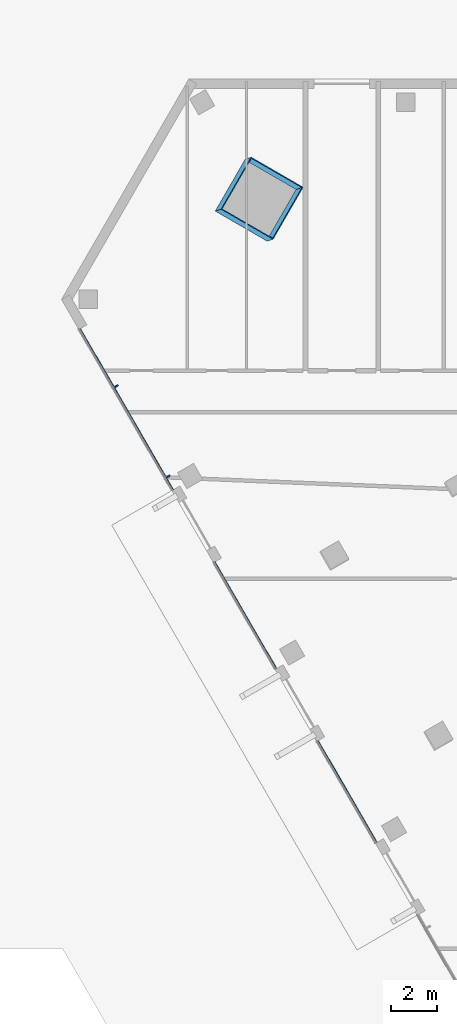
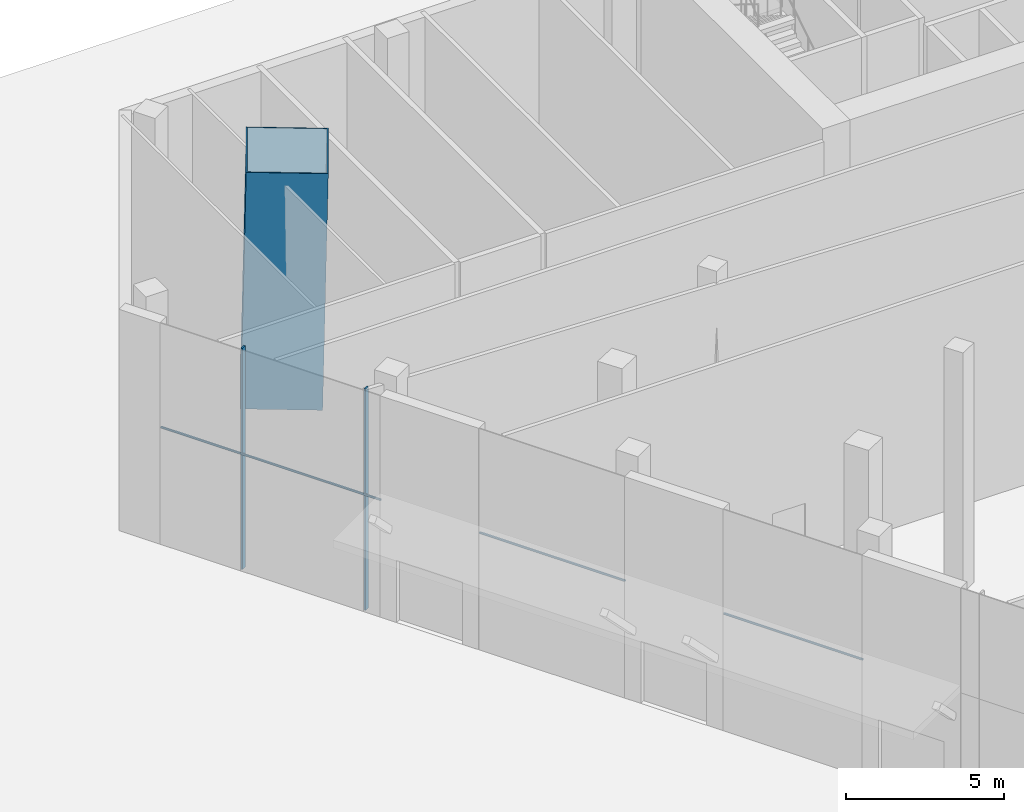
# One storey, part 4 of 21: 6 members, 3 elements without a shape of their own.
"""IFC4 building model written with IfcOpenShell, lengths in metres."""

from ifc_helpers import new_model, si_unit, direction, frame, origin, origin_2d, place, context, subcontext, project, spatial, rectangle, hollow_rectangle, extrude, material, layer, layer_set, material_profile, profile_set, type_object, element, aggregate, save


model = new_model("IFC4")

# Units and contexts
model_context = context("Model", 3, precision=1e-05, world=origin(), true_north=direction((0.0, 1.0)))
body_context = subcontext(model_context, "Body", "Model", "MODEL_VIEW")
ifc_project = project(units=[si_unit("LENGTHUNIT", "METRE"), si_unit("AREAUNIT", "SQUARE_METRE"), si_unit("VOLUMEUNIT", "CUBIC_METRE"), si_unit("PLANEANGLEUNIT", "RADIAN"), si_unit("MASSUNIT", "GRAM", prefix="KILO")], contexts=[model_context])

# Site, building, storey
site_placement = place(None, origin())
site = spatial("IfcSite", under=ifc_project, at=site_placement, CompositionType="ELEMENT")
building_placement = place(site_placement, origin())
building = spatial("IfcBuilding", under=site, at=building_placement, Name="Altiplano Prism Tower", CompositionType="ELEMENT")
storey_placement = place(building_placement, origin())
storey = spatial("IfcBuildingStorey", under=building, at=storey_placement, Name="L00", CompositionType="ELEMENT", Elevation=0.0)

# Curtain wall, members
ifc_material_1 = material(Name="Aluminium and glass", Category="aluminium")
ifc_layer = layer(ifc_material_1, 0.261962890625)
ifc_layer_set = layer_set([ifc_layer], Name="Aluminium and glass")
curtain_wall_type = type_object("IfcCurtainWallType", Name="CW4 concourse and street shopfront", PredefinedType="NOTDEFINED", material=ifc_layer_set)
curtain_wall_1_placement = place(storey_placement, origin())
curtain_wall_1 = element("IfcCurtainWall", 1, at=curtain_wall_1_placement, inside=storey, type_object=curtain_wall_type, Name="CW4 shopfront south-west face L00", PredefinedType="NOTDEFINED")
ifc_material_2 = material(Name="Aluminium", Category="aluminium")
ifc_material_profile_1 = material_profile(ifc_material_2, rectangle(XDim=0.179931640625, YDim=0.06005859375, at=origin_2d()), Name="CW4 mullion 60 x 180")
ifc_profile_set_1 = profile_set([ifc_material_profile_1], Name="Aluminium")
member_type_1 = type_object("IfcMemberType", Name="CW4 mullion 60 x 180", PredefinedType="MULLION", material=ifc_profile_set_1)
member_1_placement = place(storey_placement, frame((50.431396484375, 91.71875, 0.0), z_axis=(0.0, 0.0, 1.0), x_axis=(0.866025405818, 0.499999996478, 0.0)))
member_1 = element("IfcMember", 2, at=member_1_placement, type_object=member_type_1, Name="CW4 mullion", PredefinedType="MULLION", context=body_context, shape_type="SweptSolid", body=[
    extrude(rectangle(XDim=0.179931640625, YDim=0.06005859375, at=origin_2d()), origin(), (0.0, 0.0, 1.0), 8.550048828125),
])
member_2_placement = place(storey_placement, frame((52.681396484375, 87.821533203125, 0.0), z_axis=(0.0, 0.0, 1.0), x_axis=(0.866025405818, 0.499999996478, 0.0)))
member_2 = element("IfcMember", 3, at=member_2_placement, type_object=member_type_1, Name="CW4 mullion", PredefinedType="MULLION", context=body_context, shape_type="SweptSolid", body=[
    extrude(rectangle(XDim=0.179931640625, YDim=0.06005859375, at=origin_2d()), origin(), (0.0, 0.0, 1.0), 8.550048828125),
])
ifc_material_profile_2 = material_profile(ifc_material_2, rectangle(XDim=0.050048828125, YDim=0.06005859375, at=origin_2d()), Name="CW4 transom 60 x 50")
ifc_profile_set_2 = profile_set([ifc_material_profile_2], Name="Aluminium")
member_type_2 = type_object("IfcMemberType", Name="CW4 transom 60 x 50", PredefinedType="USERDEFINED", material=ifc_profile_set_2)
member_3_placement = place(storey_placement, frame((48.864013671875, 94.203125, 4.5), z_axis=(0.500017625206, -0.866015227628, 0.0), x_axis=(0.866015227628, 0.500017625206, 0.0)))
member_3 = element("IfcMember", 4, at=member_3_placement, type_object=member_type_2, Name="CW4 transom", ObjectType="TRANSOM", PredefinedType="USERDEFINED", context=body_context, shape_type="SweptSolid", body=[
    extrude(rectangle(XDim=0.050048828125, YDim=0.06005859375, at=origin_2d()), origin(), (0.0, 0.0, 1.0), 8.042724609375),
])
aggregate(curtain_wall_1, [member_1, member_2, member_3])

# Curtain wall, member
curtain_wall_2_placement = place(storey_placement, origin())
curtain_wall_2 = element("IfcCurtainWall", 5, at=curtain_wall_2_placement, inside=storey, type_object=curtain_wall_type, Name="CW4 shopfront south-west face L00", PredefinedType="NOTDEFINED")
member_4_placement = place(storey_placement, frame((54.685302734375, 84.120361328125, 4.5), z_axis=(0.500040991749, -0.866001735894, 0.0), x_axis=(0.866001735894, 0.500040991749, 0.0)))
member_4 = element("IfcMember", 6, at=member_4_placement, type_object=member_type_2, Name="CW4 transom", ObjectType="TRANSOM", PredefinedType="USERDEFINED", context=body_context, shape_type="SweptSolid", body=[
    extrude(rectangle(XDim=0.050048828125, YDim=0.06005859375, at=origin_2d()), origin(), (0.0, 0.0, 1.0), 5.32958984375),
])
aggregate(curtain_wall_2, [member_4])

curtain_wall_3_placement = place(storey_placement, origin())
curtain_wall_3 = element("IfcCurtainWall", 7, at=curtain_wall_3_placement, inside=storey, type_object=curtain_wall_type, Name="CW4 shopfront south-west face L00", PredefinedType="NOTDEFINED")
member_5_placement = place(storey_placement, frame((59.150146484375, 76.38720703125, 4.5), z_axis=(0.500026150919, -0.866010305018, 0.0), x_axis=(0.866010305018, 0.500026150919, 0.0)))
member_5 = element("IfcMember", 8, at=member_5_placement, type_object=member_type_2, Name="CW4 transom", ObjectType="TRANSOM", PredefinedType="USERDEFINED", context=body_context, shape_type="SweptSolid", body=[
    extrude(rectangle(XDim=0.050048828125, YDim=0.06005859375, at=origin_2d()), origin(), (0.0, 0.0, 1.0), 5.079833984375),
])
aggregate(curtain_wall_3, [member_5])

# Member
ifc_material_3 = material(Name="Steel S460", Category="steel")
ifc_material_profile_3 = material_profile(ifc_material_3, hollow_rectangle(XDim=2.60009765625, YDim=2.60009765625, WallThickness=0.0400390625, at=origin_2d()), Name="Mega column tube 2600")
ifc_profile_set_3 = profile_set([ifc_material_profile_3], Name="Steel S460")
member_type_3 = type_object("IfcMemberType", Name="Mega column tube 2600", PredefinedType="POST", material=ifc_profile_set_3)
member_6_placement = place(storey_placement, frame((56.48583984375, 99.77001953125, 0.0), z_axis=(0.028389030864, 0.009246093147, 0.999554186969), x_axis=(-0.865623766026, 0.500297112661, 0.01995732334)))
element("IfcMember", 9, at=member_6_placement, inside=storey, type_object=member_type_3, Name="Mega column tube M0 L00", PredefinedType="POST", context=body_context, shape_type="SweptSolid", body=[
    extrude(hollow_rectangle(XDim=2.60009765625, YDim=2.60009765625, WallThickness=0.0400390625, at=origin_2d()), origin(), (0.0, 0.0, 1.0), 9.00390625),
])

save(model, "model.ifc")
